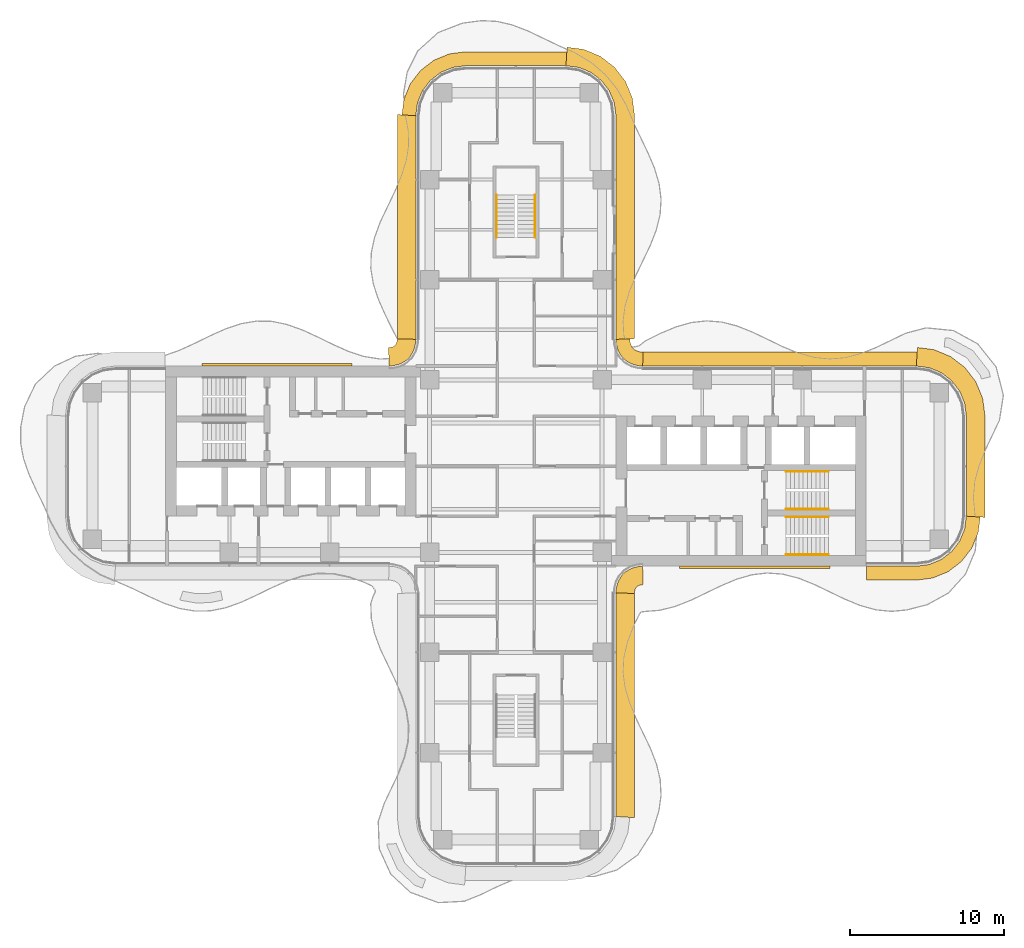
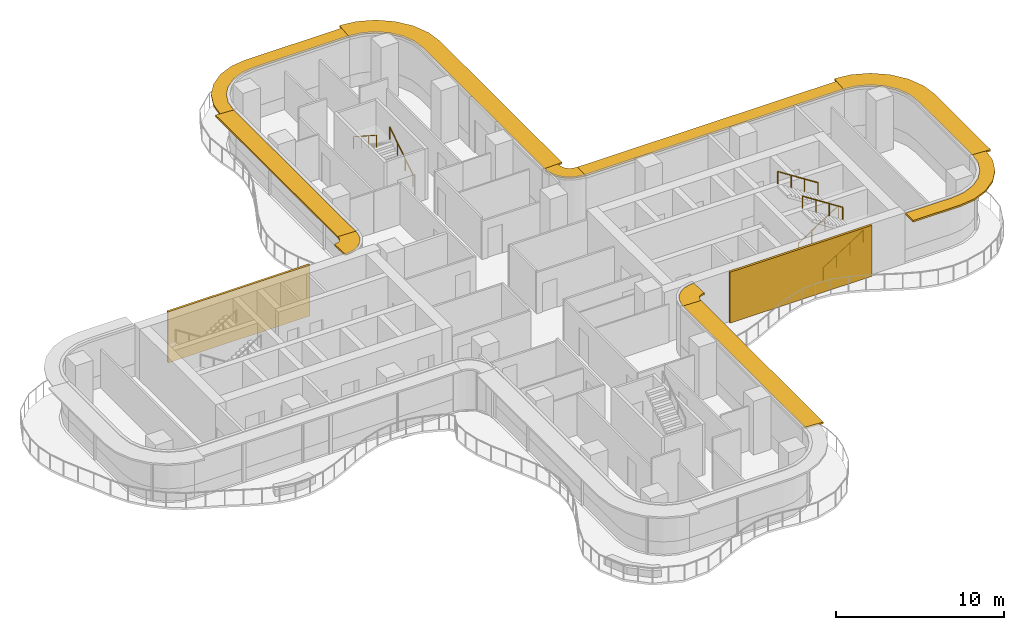
# One storey, part 17 of 17: 10 shading devices, 6 railings, 2 coverings.
"""IFC4 building model written with IfcOpenShell, lengths in metres."""

from ifc_helpers import new_model, si_unit, direction, frame, origin, origin_2d, place, context, subcontext, project, spatial, polyline, circle, outline, extrude, source, transform, mapped, material, layer, layer_set, type_object, element, save


model = new_model("IFC4")

# Units and contexts
model_context = context("Model", 3, precision=1e-05, world=origin(), true_north=direction((0.0, 1.0)))
body_context = subcontext(model_context, "Body", "Model", "MODEL_VIEW")
ifc_project = project(units=[si_unit("LENGTHUNIT", "METRE"), si_unit("AREAUNIT", "SQUARE_METRE"), si_unit("VOLUMEUNIT", "CUBIC_METRE"), si_unit("PLANEANGLEUNIT", "RADIAN"), si_unit("MASSUNIT", "GRAM", prefix="KILO")], contexts=[model_context])

# Site, building, storey
site_placement = place(None, origin())
site = spatial("IfcSite", under=ifc_project, at=site_placement, CompositionType="ELEMENT")
building_placement = place(site_placement, origin())
building = spatial("IfcBuilding", under=site, at=building_placement, Name="Trellis Farm Tower", CompositionType="ELEMENT")
storey_placement = place(building_placement, frame((0.0, 0.0, 173.699951171875)))
storey = spatial("IfcBuildingStorey", under=building, at=storey_placement, Name="L37", CompositionType="ELEMENT", Elevation=173.699951171875)

# Railings
ifc_material_1 = material(Name="Stainless steel", Category="steel")
railing_type = type_object("IfcRailingType", Name="STAIR HANDRAIL 900", PredefinedType="HANDRAIL", material=ifc_material_1)
shared_shape_1 = source(origin(), body_context, "Body", "SweptSolid", [
    extrude(circle(Radius=0.02392578125, at=origin_2d()), frame((0.0, 0.0, 0.8759765625), z_axis=(0.0, 0.840503830235, 0.541805602924), x_axis=(-1.0, 0.0, 0.0)), (0.0, 0.0, 1.0), 3.271728515625),
    extrude(circle(Radius=0.02099609375, at=origin_2d()), origin(), (0.0, 0.0, 1.0), 0.851806640625),
    extrude(circle(Radius=0.02099609375, at=origin_2d()), frame((0.0, 0.916748046875, 0.5908203125)), (0.0, 0.0, 1.0), 0.851806640625),
    extrude(circle(Radius=0.02099609375, at=origin_2d()), frame((0.0, 1.833251953125, 1.181884765625)), (0.0, 0.0, 1.0), 0.851806640625),
    extrude(circle(Radius=0.02099609375, at=origin_2d()), frame((0.0, 2.75, 1.772705078125)), (0.0, 0.0, 1.0), 0.851806640625),
])
railing_1_placement = place(storey_placement, frame((1.25, 14.85009765625, 0.17724609375)))
element("IfcRailing", 1, at=railing_1_placement, inside=storey, type_object=railing_type, Name="Stair handrail", PredefinedType="HANDRAIL", context=body_context, shape_type="MappedRepresentation", body=[
    mapped(shared_shape_1, transform((0.0, 0.0, 0.0))),
])
shared_shape_2 = source(origin(), body_context, "Body", "SweptSolid", [
    extrude(circle(Radius=0.02392578125, at=origin_2d()), frame((0.0, 0.0, 0.8759765625), z_axis=(0.0, -0.840503830235, 0.541805602924), x_axis=(1.0, 0.0, 0.0)), (0.0, 0.0, 1.0), 3.271728515625),
    extrude(circle(Radius=0.02099609375, at=origin_2d()), origin(), (0.0, 0.0, 1.0), 0.851806640625),
    extrude(circle(Radius=0.02099609375, at=origin_2d()), frame((0.0, -0.916748046875, 0.5908203125)), (0.0, 0.0, 1.0), 0.851806640625),
    extrude(circle(Radius=0.02099609375, at=origin_2d()), frame((0.0, -1.833251953125, 1.181884765625)), (0.0, 0.0, 1.0), 0.851806640625),
    extrude(circle(Radius=0.02099609375, at=origin_2d()), frame((0.0, -2.75, 1.772705078125)), (0.0, 0.0, 1.0), 0.851806640625),
])
railing_2_placement = place(storey_placement, frame((-1.25, 17.60009765625, 2.12744140625)))
element("IfcRailing", 2, at=railing_2_placement, inside=storey, type_object=railing_type, Name="Stair handrail", PredefinedType="HANDRAIL", context=body_context, shape_type="MappedRepresentation", body=[
    mapped(shared_shape_2, transform((0.0, 0.0, 0.0))),
])
shared_shape_3 = source(origin(), body_context, "Body", "SweptSolid", [
    extrude(circle(Radius=0.02392578125, at=origin_2d()), frame((0.0, 0.0, 0.8759765625), z_axis=(0.840503830235, 0.0, 0.541805602924), x_axis=(0.0, 1.0, 0.0)), (0.0, 0.0, 1.0), 3.271728515625),
    extrude(circle(Radius=0.02099609375, at=origin_2d()), origin(), (0.0, 0.0, 1.0), 0.851806640625),
    extrude(circle(Radius=0.02099609375, at=origin_2d()), frame((0.916748046875, 0.0, 0.5908203125)), (0.0, 0.0, 1.0), 0.851806640625),
    extrude(circle(Radius=0.02099609375, at=origin_2d()), frame((1.833251953125, 0.0, 1.181884765625)), (0.0, 0.0, 1.0), 0.851806640625),
    extrude(circle(Radius=0.02099609375, at=origin_2d()), frame((2.75, 0.0, 1.772705078125)), (0.0, 0.0, 1.0), 0.851806640625),
])
for number, where, name in (
    (3, (17.550048828125, -5.75, 0.17724609375), "Stair handrail"),
    (4, (17.550048828125, -2.800048828125, 0.17724609375), "Stair handrail"),
):
    element("IfcRailing", number, at=place(storey_placement, frame(where)), inside=storey, type_object=railing_type, Name=name, PredefinedType="HANDRAIL", context=body_context, shape_type="MappedRepresentation", body=[
        mapped(shared_shape_3, transform((0.0, 0.0, 0.0))),
    ])
shared_shape_4 = source(origin(), body_context, "Body", "SweptSolid", [
    extrude(circle(Radius=0.02392578125, at=origin_2d()), frame((0.0, 0.0, 0.8759765625), z_axis=(-0.840503830235, 0.0, 0.541805602924), x_axis=(0.0, -1.0, 0.0)), (0.0, 0.0, 1.0), 3.271728515625),
    extrude(circle(Radius=0.02099609375, at=origin_2d()), origin(), (0.0, 0.0, 1.0), 0.851806640625),
    extrude(circle(Radius=0.02099609375, at=origin_2d()), frame((-0.916748046875, 0.0, 0.5908203125)), (0.0, 0.0, 1.0), 0.851806640625),
    extrude(circle(Radius=0.02099609375, at=origin_2d()), frame((-1.833251953125, 0.0, 1.181884765625)), (0.0, 0.0, 1.0), 0.851806640625),
    extrude(circle(Radius=0.02099609375, at=origin_2d()), frame((-2.75, 0.0, 1.772705078125)), (0.0, 0.0, 1.0), 0.851806640625),
])
for number, where, name in (
    (5, (20.300048828125, -3.300048828125, 2.12744140625), "Stair handrail"),
    (6, (20.300048828125, -0.35009765625, 2.12744140625), "Stair handrail"),
):
    element("IfcRailing", number, at=place(storey_placement, frame(where)), inside=storey, type_object=railing_type, Name=name, PredefinedType="HANDRAIL", context=body_context, shape_type="MappedRepresentation", body=[
        mapped(shared_shape_4, transform((0.0, 0.0, 0.0))),
    ])

# Shading devices
ifc_material_2 = material(Name="Aluminium extrusion 6063-T6", Category="aluminium")
ifc_layer_1 = layer(ifc_material_2, 0.1201171875)
ifc_layer_set_1 = layer_set([ifc_layer_1], Name="SUNSHADE BLADE 1200")
shading_device_type_1 = type_object("IfcShadingDeviceType", Name="SUNSHADE BLADE 1200", PredefinedType="USERDEFINED", material=ifc_layer_set_1)
shared_shape_5 = source(origin(), body_context, "Body", "SweptSolid", [
    extrude(outline(polyline([(7.699951171875, -22.82861328125), (7.699951171875, -8.270751953125), (6.5, -8.2314453125), (6.5, -22.75), (7.699951171875, -22.82861328125)])), origin(), (0.0, 0.0, 1.0), 0.1201171875),
])
placement_1 = place(storey_placement, frame((0.0, 0.0, 3.5400390625)))
element("IfcShadingDevice", 7, at=placement_1, inside=storey, type_object=shading_device_type_1, Name="SD2 005", ObjectType="SUNSHADE", PredefinedType="USERDEFINED", context=body_context, shape_type="MappedRepresentation", body=[
    mapped(shared_shape_5, transform((0.0, 0.0, 0.0))),
])
shared_shape_6 = source(origin(), body_context, "Body", "SweptSolid", [
    extrude(outline(polyline([(7.699951171875, -8.270751953125), (7.708740234375, -8.13720703125), (7.70703125, -8.150146484375), (7.7548828125, -7.9716796875), (7.80712890625, -7.881103515625), (7.881103515625, -7.80712890625), (7.9716796875, -7.7548828125), (8.150146484375, -7.70703125), (8.13720703125, -7.708740234375), (8.270751953125, -7.699951171875), (8.2314453125, -6.5), (8.01953125, -6.513916015625), (7.91552734375, -6.527587890625), (7.508544921875, -6.63671875), (7.144287109375, -6.846923828125), (6.846923828125, -7.144287109375), (6.63671875, -7.508544921875), (6.527587890625, -7.91552734375), (6.513916015625, -8.01953125), (6.5, -8.2314453125), (7.699951171875, -8.270751953125)])), origin(), (0.0, 0.0, 1.0), 0.1201171875),
])
element("IfcShadingDevice", 8, at=placement_1, inside=storey, type_object=shading_device_type_1, Name="SD2 006", ObjectType="SUNSHADE", PredefinedType="USERDEFINED", context=body_context, shape_type="MappedRepresentation", body=[
    mapped(shared_shape_6, transform((0.0, 0.0, 0.0))),
])
ifc_layer_2 = layer(ifc_material_2, 0.1201171875)
ifc_layer_set_2 = layer_set([ifc_layer_2], Name="SUNSHADE BLADE 900")
shading_device_type_2 = type_object("IfcShadingDeviceType", Name="SUNSHADE BLADE 900", PredefinedType="USERDEFINED", material=ifc_layer_set_2)
shared_shape_7 = source(origin(), body_context, "Body", "SweptSolid", [
    extrude(outline(polyline([(22.780029296875, -7.39990234375), (26.05908203125, -7.39990234375), (27.076171875, -7.26611328125), (28.078857421875, -6.850830078125), (28.93994140625, -6.18994140625), (29.600830078125, -5.328857421875), (30.01611328125, -4.326171875), (30.14990234375, -3.30908203125), (29.25, -3.25), (29.13916015625, -4.091064453125), (28.814697265625, -4.875), (28.298095703125, -5.548095703125), (27.625, -6.064697265625), (26.841064453125, -6.38916015625), (26.0, -6.5), (22.780029296875, -6.5), (22.780029296875, -7.39990234375)])), origin(), (0.0, 0.0, 1.0), 0.1201171875),
])
element("IfcShadingDevice", 9, at=placement_1, inside=storey, type_object=shading_device_type_2, Name="SD1 007", ObjectType="SUNSHADE", PredefinedType="USERDEFINED", context=body_context, shape_type="MappedRepresentation", body=[
    mapped(shared_shape_7, transform((0.0, 0.0, 0.0))),
])
shared_shape_8 = source(origin(), body_context, "Body", "SweptSolid", [
    extrude(outline(polyline([(30.449951171875, -3.32861328125), (30.449951171875, 3.32861328125), (30.308349609375, 4.404541015625), (29.86279296875, 5.480224609375), (29.154052734375, 6.404052734375), (28.230224609375, 7.11279296875), (27.154541015625, 7.558349609375), (26.07861328125, 7.699951171875), (26.0, 6.5), (26.841064453125, 6.38916015625), (27.625, 6.064697265625), (28.298095703125, 5.548095703125), (28.814697265625, 4.875), (29.13916015625, 4.091064453125), (29.25, 3.25), (29.25, -3.25), (30.449951171875, -3.32861328125)])), origin(), (0.0, 0.0, 1.0), 0.1201171875),
])
element("IfcShadingDevice", 10, at=placement_1, inside=storey, type_object=shading_device_type_1, Name="SD2 008", ObjectType="SUNSHADE", PredefinedType="USERDEFINED", context=body_context, shape_type="MappedRepresentation", body=[
    mapped(shared_shape_8, transform((0.0, 0.0, 0.0))),
])
shared_shape_9 = source(origin(), body_context, "Body", "SweptSolid", [
    extrude(outline(polyline([(26.05908203125, 7.39990234375), (8.2607421875, 7.39990234375), (8.2314453125, 6.5), (26.0, 6.5), (26.05908203125, 7.39990234375)])), origin(), (0.0, 0.0, 1.0), 0.1201171875),
])
element("IfcShadingDevice", 11, at=placement_1, inside=storey, type_object=shading_device_type_2, Name="SD1 009", ObjectType="SUNSHADE", PredefinedType="USERDEFINED", context=body_context, shape_type="MappedRepresentation", body=[
    mapped(shared_shape_9, transform((0.0, 0.0, 0.0))),
])
shared_shape_10 = source(origin(), body_context, "Body", "SweptSolid", [
    extrude(outline(polyline([(8.2607421875, 7.39990234375), (8.107666015625, 7.409912109375), (8.091552734375, 7.412109375), (7.85595703125, 7.475341796875), (7.697021484375, 7.567138671875), (7.567138671875, 7.697021484375), (7.475341796875, 7.85595703125), (7.412109375, 8.091552734375), (7.409912109375, 8.107666015625), (7.39990234375, 8.2607421875), (6.5, 8.2314453125), (6.513916015625, 8.01953125), (6.527587890625, 7.91552734375), (6.63671875, 7.508544921875), (6.846923828125, 7.144287109375), (7.144287109375, 6.846923828125), (7.508544921875, 6.63671875), (7.91552734375, 6.527587890625), (8.01953125, 6.513916015625), (8.2314453125, 6.5), (8.2607421875, 7.39990234375)])), origin(), (0.0, 0.0, 1.0), 0.1201171875),
])
element("IfcShadingDevice", 12, at=placement_1, inside=storey, type_object=shading_device_type_2, Name="SD1 010", ObjectType="SUNSHADE", PredefinedType="USERDEFINED", context=body_context, shape_type="MappedRepresentation", body=[
    mapped(shared_shape_10, transform((0.0, 0.0, 0.0))),
])
shared_shape_11 = source(origin(), body_context, "Body", "SweptSolid", [
    extrude(outline(polyline([(7.699951171875, 8.270751953125), (7.699951171875, 22.82861328125), (7.558349609375, 23.904541015625), (7.11279296875, 24.980224609375), (6.404052734375, 25.904052734375), (5.480224609375, 26.61279296875), (4.404541015625, 27.058349609375), (3.32861328125, 27.199951171875), (3.25, 26.0), (4.091064453125, 25.88916015625), (4.875, 25.564697265625), (5.548095703125, 25.048095703125), (6.064697265625, 24.375), (6.38916015625, 23.591064453125), (6.5, 22.75), (6.5, 8.2314453125), (7.699951171875, 8.270751953125)])), origin(), (0.0, 0.0, 1.0), 0.1201171875),
])
element("IfcShadingDevice", 13, at=placement_1, inside=storey, type_object=shading_device_type_1, Name="SD2 011", ObjectType="SUNSHADE", PredefinedType="USERDEFINED", context=body_context, shape_type="MappedRepresentation", body=[
    mapped(shared_shape_11, transform((0.0, 0.0, 0.0))),
])
shared_shape_12 = source(origin(), body_context, "Body", "SweptSolid", [
    extrude(outline(polyline([(3.30908203125, 26.89990234375), (-3.30908203125, 26.89990234375), (-4.326171875, 26.76611328125), (-5.328857421875, 26.350830078125), (-6.18994140625, 25.68994140625), (-6.850830078125, 24.828857421875), (-7.26611328125, 23.826171875), (-7.39990234375, 22.80908203125), (-6.5, 22.75), (-6.38916015625, 23.591064453125), (-6.064697265625, 24.375), (-5.548095703125, 25.048095703125), (-4.875, 25.564697265625), (-4.091064453125, 25.88916015625), (-3.25, 26.0), (3.25, 26.0), (3.30908203125, 26.89990234375)])), origin(), (0.0, 0.0, 1.0), 0.1201171875),
])
element("IfcShadingDevice", 14, at=placement_1, inside=storey, type_object=shading_device_type_2, Name="SD1 012", ObjectType="SUNSHADE", PredefinedType="USERDEFINED", context=body_context, shape_type="MappedRepresentation", body=[
    mapped(shared_shape_12, transform((0.0, 0.0, 0.0))),
])
shared_shape_13 = source(origin(), body_context, "Body", "SweptSolid", [
    extrude(outline(polyline([(-7.699951171875, 22.82861328125), (-7.699951171875, 8.270751953125), (-6.5, 8.2314453125), (-6.5, 22.75), (-7.699951171875, 22.82861328125)])), origin(), (0.0, 0.0, 1.0), 0.1201171875),
])
element("IfcShadingDevice", 15, at=placement_1, inside=storey, type_object=shading_device_type_1, Name="SD2 013", ObjectType="SUNSHADE", PredefinedType="USERDEFINED", context=body_context, shape_type="MappedRepresentation", body=[
    mapped(shared_shape_13, transform((0.0, 0.0, 0.0))),
])
shared_shape_14 = source(origin(), body_context, "Body", "SweptSolid", [
    extrude(outline(polyline([(-7.699951171875, 8.270751953125), (-7.708740234375, 8.13720703125), (-7.70703125, 8.150146484375), (-7.7548828125, 7.9716796875), (-7.80712890625, 7.881103515625), (-7.881103515625, 7.80712890625), (-7.9716796875, 7.7548828125), (-8.150146484375, 7.70703125), (-8.13720703125, 7.708740234375), (-8.270751953125, 7.699951171875), (-8.2314453125, 6.5), (-8.01953125, 6.513916015625), (-7.91552734375, 6.527587890625), (-7.508544921875, 6.63671875), (-7.144287109375, 6.846923828125), (-6.846923828125, 7.144287109375), (-6.63671875, 7.508544921875), (-6.527587890625, 7.91552734375), (-6.513916015625, 8.01953125), (-6.5, 8.2314453125), (-7.699951171875, 8.270751953125)])), origin(), (0.0, 0.0, 1.0), 0.1201171875),
])
element("IfcShadingDevice", 16, at=placement_1, inside=storey, type_object=shading_device_type_1, Name="SD2 014", ObjectType="SUNSHADE", PredefinedType="USERDEFINED", context=body_context, shape_type="MappedRepresentation", body=[
    mapped(shared_shape_14, transform((0.0, 0.0, 0.0))),
])

# Coverings
ifc_material_3 = material(Name="Perforated precast screen (cobogo)", Category="concrete")
ifc_layer_3 = layer(ifc_material_3, 0.14990234375)
ifc_layer_set_3 = layer_set([ifc_layer_3], Name="COBOGO SCREEN PANEL")
covering_type = type_object("IfcCoveringType", Name="COBOGO SCREEN PANEL", PredefinedType="USERDEFINED", material=ifc_layer_set_3)
shared_shape_15 = source(origin(), body_context, "Body", "SweptSolid", [
    extrude(outline(polyline([(10.630615234375, -6.64990234375), (20.380615234375, -6.64990234375), (20.380615234375, -6.5), (10.630615234375, -6.5), (10.630615234375, -6.64990234375)])), origin(), (0.0, 0.0, 1.0), 3.699951171875),
])
placement_2 = place(storey_placement, origin())
element("IfcCovering", 17, at=placement_2, inside=storey, type_object=covering_type, Name="SC1 01", ObjectType="SCREEN", PredefinedType="USERDEFINED", context=body_context, shape_type="MappedRepresentation", body=[
    mapped(shared_shape_15, transform((0.0, 0.0, 0.0))),
])
shared_shape_16 = source(origin(), body_context, "Body", "SweptSolid", [
    extrude(outline(polyline([(-10.630615234375, 6.64990234375), (-20.380615234375, 6.64990234375), (-20.380615234375, 6.5), (-10.630615234375, 6.5), (-10.630615234375, 6.64990234375)])), origin(), (0.0, 0.0, 1.0), 3.699951171875),
])
element("IfcCovering", 18, at=placement_2, inside=storey, type_object=covering_type, Name="SC1 02", ObjectType="SCREEN", PredefinedType="USERDEFINED", context=body_context, shape_type="MappedRepresentation", body=[
    mapped(shared_shape_16, transform((0.0, 0.0, 0.0))),
])

save(model, "model.ifc")
